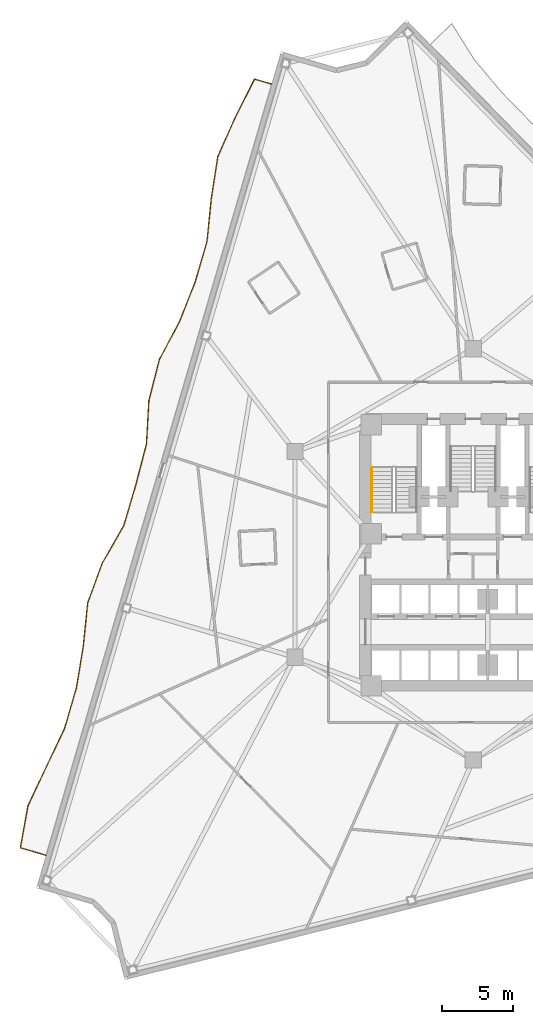
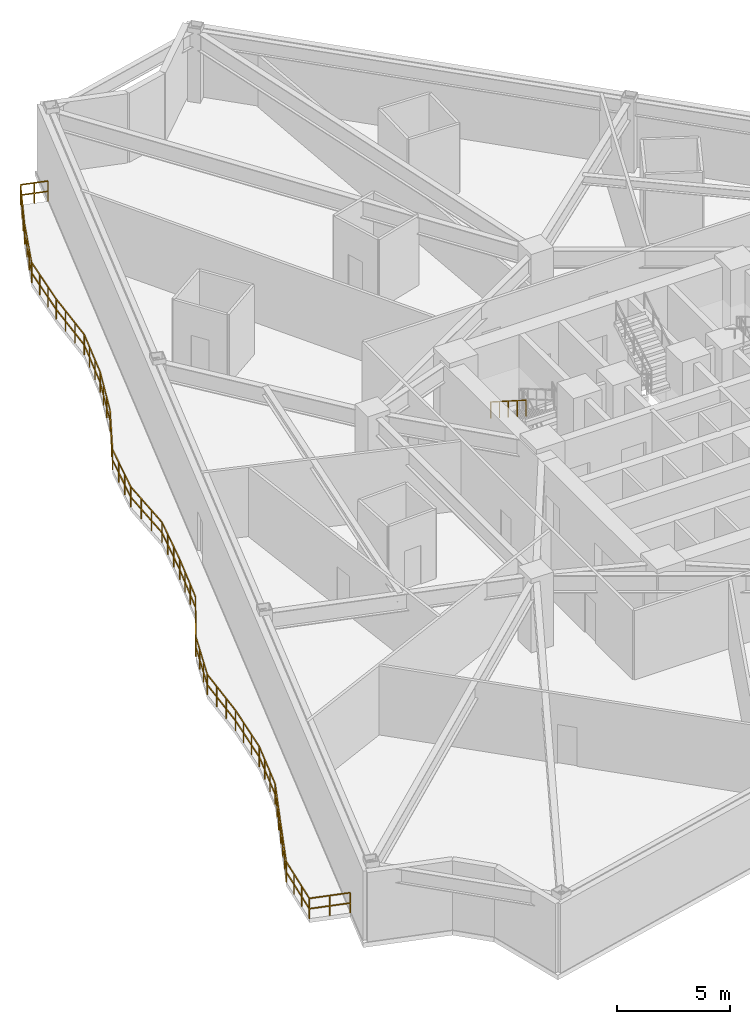
# One storey, part 7 of 9: 2 railings.
"""IFC4 building model written with IfcOpenShell, lengths in metres."""

from ifc_helpers import new_model, si_unit, direction, frame, origin, origin_2d, place, context, subcontext, project, spatial, rectangle, extrude, material, type_object, element, save


model = new_model("IFC4")

# Units and contexts
model_context = context("Model", 3, precision=1e-05, world=origin(), true_north=direction((0.0, 1.0)))
body_context = subcontext(model_context, "Body", "Model", "MODEL_VIEW")
ifc_project = project(units=[si_unit("LENGTHUNIT", "METRE"), si_unit("AREAUNIT", "SQUARE_METRE"), si_unit("VOLUMEUNIT", "CUBIC_METRE"), si_unit("PLANEANGLEUNIT", "RADIAN"), si_unit("MASSUNIT", "GRAM", prefix="KILO")], contexts=[model_context])

# Site, building, storey
site_placement = place(None, origin())
site = spatial("IfcSite", under=ifc_project, at=site_placement, CompositionType="ELEMENT")
building_placement = place(site_placement, origin())
building = spatial("IfcBuilding", under=site, at=building_placement, Name="Apsidion Concourse Tower", CompositionType="ELEMENT")
storey_placement = place(building_placement, frame((0.0, 0.0, 103.0)))
storey = spatial("IfcBuildingStorey", under=building, at=storey_placement, Name="L23", CompositionType="ELEMENT", Elevation=103.0)

# Railings
ifc_material = material(Name="Brushed stainless steel 316", Category="steel")
railing_type_1 = type_object("IfcRailingType", Name="RL-BAL-1120", PredefinedType="BALUSTRADE", material=ifc_material)
railing_1_placement = place(storey_placement, frame((-30.13330078125, -21.2216796875, 0.0)))
element("IfcRailing", 1, at=railing_1_placement, inside=storey, type_object=railing_type_1, Name="L23 Face 1 Rippling Balcony Balustrade", PredefinedType="BALUSTRADE", context=body_context, shape_type="SweptSolid", body=[
    extrude(rectangle(XDim=0.048095703125, YDim=0.048095703125, at=origin_2d()), frame((0.0, 0.0, 1.09619140625), z_axis=(-0.95980851826, 0.28065567565, 0.0), x_axis=(-0.28065567565, -0.95980851826, 0.0)), (0.0, 0.0, 1.0), 1.872802734375),
    extrude(rectangle(XDim=0.048095703125, YDim=0.048095703125, at=origin_2d()), frame((0.0, 0.0, 0.5361328125), z_axis=(-0.95980851826, 0.28065567565, 0.0), x_axis=(-0.28065567565, -0.95980851826, 0.0)), (0.0, 0.0, 1.0), 1.872802734375),
    extrude(rectangle(XDim=0.048095703125, YDim=0.048095703125, at=origin_2d()), frame((-1.797607421875, 0.525634765625, 1.09619140625), z_axis=(0.176077879139, 0.98437623929, 0.0), x_axis=(-0.98437623929, 0.176077879139, 0.0)), (0.0, 0.0, 1.0), 3.00048828125),
    extrude(rectangle(XDim=0.048095703125, YDim=0.048095703125, at=origin_2d()), frame((-1.797607421875, 0.525634765625, 0.5361328125), z_axis=(0.176077879139, 0.98437623929, 0.0), x_axis=(-0.98437623929, 0.176077879139, 0.0)), (0.0, 0.0, 1.0), 3.00048828125),
    extrude(rectangle(XDim=0.048095703125, YDim=0.048095703125, at=origin_2d()), frame((-1.269287109375, 3.479248046875, 1.09619140625), z_axis=(0.425606197643, 0.904908484062, 0.0), x_axis=(-0.904908484062, 0.425606197643, 0.0)), (0.0, 0.0, 1.0), 3.01904296875),
    extrude(rectangle(XDim=0.048095703125, YDim=0.048095703125, at=origin_2d()), frame((-1.269287109375, 3.479248046875, 0.5361328125), z_axis=(0.425606197643, 0.904908484062, 0.0), x_axis=(-0.904908484062, 0.425606197643, 0.0)), (0.0, 0.0, 1.0), 3.01904296875),
    extrude(rectangle(XDim=0.048095703125, YDim=0.048095703125, at=origin_2d()), frame((0.015625, 6.211181640625, 1.09619140625), z_axis=(0.429412813702, 0.903108318768, 0.0), x_axis=(-0.903108318768, 0.429412813702, 0.0)), (0.0, 0.0, 1.0), 3.021240234375),
    extrude(rectangle(XDim=0.048095703125, YDim=0.048095703125, at=origin_2d()), frame((0.015625, 6.211181640625, 0.5361328125), z_axis=(0.429412813702, 0.903108318768, 0.0), x_axis=(-0.903108318768, 0.429412813702, 0.0)), (0.0, 0.0, 1.0), 3.021240234375),
    extrude(rectangle(XDim=0.048095703125, YDim=0.048095703125, at=origin_2d()), frame((1.31298828125, 8.939697265625, 1.09619140625), z_axis=(0.280747965083, 0.959781527277, 0.0), x_axis=(-0.959781527277, 0.280747965083, 0.0)), (0.0, 0.0, 1.0), 2.982666015625),
    extrude(rectangle(XDim=0.048095703125, YDim=0.048095703125, at=origin_2d()), frame((1.31298828125, 8.939697265625, 0.5361328125), z_axis=(0.280747965083, 0.959781527277, 0.0), x_axis=(-0.959781527277, 0.280747965083, 0.0)), (0.0, 0.0, 1.0), 2.982666015625),
    extrude(rectangle(XDim=0.048095703125, YDim=0.048095703125, at=origin_2d()), frame((2.150390625, 11.802490234375, 1.09619140625), z_axis=(0.163476609065, 0.98654721037, 0.0), x_axis=(-0.98654721037, 0.163476609065, 0.0)), (0.0, 0.0, 1.0), 3.0048828125),
    extrude(rectangle(XDim=0.048095703125, YDim=0.048095703125, at=origin_2d()), frame((2.150390625, 11.802490234375, 0.5361328125), z_axis=(0.163476609065, 0.98654721037, 0.0), x_axis=(-0.98654721037, 0.163476609065, 0.0)), (0.0, 0.0, 1.0), 3.0048828125),
    extrude(rectangle(XDim=0.048095703125, YDim=0.048095703125, at=origin_2d()), frame((2.6416015625, 14.766845703125, 1.09619140625), z_axis=(0.09910547957, 0.995076933669, 0.0), x_axis=(-0.995076933669, 0.09910547957, 0.0)), (0.0, 0.0, 1.0), 3.034912109375),
    extrude(rectangle(XDim=0.048095703125, YDim=0.048095703125, at=origin_2d()), frame((2.6416015625, 14.766845703125, 0.5361328125), z_axis=(0.09910547957, 0.995076933669, 0.0), x_axis=(-0.995076933669, 0.09910547957, 0.0)), (0.0, 0.0, 1.0), 3.034912109375),
    extrude(rectangle(XDim=0.048095703125, YDim=0.048095703125, at=origin_2d()), frame((2.9423828125, 17.786865234375, 1.09619140625), z_axis=(0.34397148674, 0.938980093671, 0.0), x_axis=(-0.938980093671, 0.34397148674, 0.0)), (0.0, 0.0, 1.0), 2.989501953125),
    extrude(rectangle(XDim=0.048095703125, YDim=0.048095703125, at=origin_2d()), frame((2.9423828125, 17.786865234375, 0.5361328125), z_axis=(0.34397148674, 0.938980093671, 0.0), x_axis=(-0.938980093671, 0.34397148674, 0.0)), (0.0, 0.0, 1.0), 2.989501953125),
    extrude(rectangle(XDim=0.048095703125, YDim=0.048095703125, at=origin_2d()), frame((3.970703125, 20.593994140625, 1.09619140625), z_axis=(0.496378940794, 0.868105953865, 0.0), x_axis=(-0.868105953865, 0.496378940794, 0.0)), (0.0, 0.0, 1.0), 3.067138671875),
    extrude(rectangle(XDim=0.048095703125, YDim=0.048095703125, at=origin_2d()), frame((3.970703125, 20.593994140625, 0.5361328125), z_axis=(0.496378940794, 0.868105953865, 0.0), x_axis=(-0.868105953865, 0.496378940794, 0.0)), (0.0, 0.0, 1.0), 3.067138671875),
    extrude(rectangle(XDim=0.048095703125, YDim=0.048095703125, at=origin_2d()), frame((5.4931640625, 23.256591796875, 1.09619140625), z_axis=(0.283185323323, 0.959065207718, 0.0), x_axis=(-0.959065207718, 0.283185323323, 0.0)), (0.0, 0.0, 1.0), 2.98291015625),
    extrude(rectangle(XDim=0.048095703125, YDim=0.048095703125, at=origin_2d()), frame((5.4931640625, 23.256591796875, 0.5361328125), z_axis=(0.283185323323, 0.959065207718, 0.0), x_axis=(-0.959065207718, 0.283185323323, 0.0)), (0.0, 0.0, 1.0), 2.98291015625),
    extrude(rectangle(XDim=0.048095703125, YDim=0.048095703125, at=origin_2d()), frame((6.337890625, 26.117431640625, 1.09619140625), z_axis=(0.252398583483, 0.967623353922, 0.0), x_axis=(-0.967623353922, 0.252398583483, 0.0)), (0.0, 0.0, 1.0), 2.984130859375),
    extrude(rectangle(XDim=0.048095703125, YDim=0.048095703125, at=origin_2d()), frame((6.337890625, 26.117431640625, 0.5361328125), z_axis=(0.252398583483, 0.967623353922, 0.0), x_axis=(-0.967623353922, 0.252398583483, 0.0)), (0.0, 0.0, 1.0), 2.984130859375),
    extrude(rectangle(XDim=0.048095703125, YDim=0.048095703125, at=origin_2d()), frame((7.091064453125, 29.0048828125, 1.09619140625), z_axis=(0.055474434033, 0.998460107951, 0.0), x_axis=(-0.998460107951, 0.055474434033, 0.0)), (0.0, 0.0, 1.0), 3.06298828125),
    extrude(rectangle(XDim=0.048095703125, YDim=0.048095703125, at=origin_2d()), frame((7.091064453125, 29.0048828125, 0.5361328125), z_axis=(0.055474434033, 0.998460107951, 0.0), x_axis=(-0.998460107951, 0.055474434033, 0.0)), (0.0, 0.0, 1.0), 3.06298828125),
    extrude(rectangle(XDim=0.048095703125, YDim=0.048095703125, at=origin_2d()), frame((7.260986328125, 32.063232421875, 1.09619140625), z_axis=(0.246940453349, 0.96903065612, 0.0), x_axis=(-0.96903065612, 0.246940453349, 0.0)), (0.0, 0.0, 1.0), 2.98486328125),
    extrude(rectangle(XDim=0.048095703125, YDim=0.048095703125, at=origin_2d()), frame((7.260986328125, 32.063232421875, 0.5361328125), z_axis=(0.246940453349, 0.96903065612, 0.0), x_axis=(-0.96903065612, 0.246940453349, 0.0)), (0.0, 0.0, 1.0), 2.98486328125),
    extrude(rectangle(XDim=0.048095703125, YDim=0.048095703125, at=origin_2d()), frame((7.998046875, 34.95556640625, 1.09619140625), z_axis=(0.468631551795, 0.883393722336, 0.0), x_axis=(-0.883393722336, 0.468631551795, 0.0)), (0.0, 0.0, 1.0), 3.045654296875),
    extrude(rectangle(XDim=0.048095703125, YDim=0.048095703125, at=origin_2d()), frame((7.998046875, 34.95556640625, 0.5361328125), z_axis=(0.468631551795, 0.883393722336, 0.0), x_axis=(-0.883393722336, 0.468631551795, 0.0)), (0.0, 0.0, 1.0), 3.045654296875),
    extrude(rectangle(XDim=0.048095703125, YDim=0.048095703125, at=origin_2d()), frame((9.42529296875, 37.64599609375, 1.09619140625), z_axis=(0.367326113557, 0.930092213869, 0.0), x_axis=(-0.930092213869, 0.367326113557, 0.0)), (0.0, 0.0, 1.0), 2.99560546875),
    extrude(rectangle(XDim=0.048095703125, YDim=0.048095703125, at=origin_2d()), frame((9.42529296875, 37.64599609375, 0.5361328125), z_axis=(0.367326113557, 0.930092213869, 0.0), x_axis=(-0.930092213869, 0.367326113557, 0.0)), (0.0, 0.0, 1.0), 2.99560546875),
    extrude(rectangle(XDim=0.048095703125, YDim=0.048095703125, at=origin_2d()), frame((10.525634765625, 40.43212890625, 1.09619140625), z_axis=(0.280725911516, 0.959787977943, 0.0), x_axis=(-0.959787977943, 0.280725911516, 0.0)), (0.0, 0.0, 1.0), 2.98291015625),
    extrude(rectangle(XDim=0.048095703125, YDim=0.048095703125, at=origin_2d()), frame((10.525634765625, 40.43212890625, 0.5361328125), z_axis=(0.280725911516, 0.959787977943, 0.0), x_axis=(-0.959787977943, 0.280725911516, 0.0)), (0.0, 0.0, 1.0), 2.98291015625),
    extrude(rectangle(XDim=0.048095703125, YDim=0.048095703125, at=origin_2d()), frame((11.363037109375, 43.295166015625, 1.09619140625), z_axis=(0.098619634442, 0.995125202024, 0.0), x_axis=(-0.995125202024, 0.098619634442, 0.0)), (0.0, 0.0, 1.0), 3.03515625),
    extrude(rectangle(XDim=0.048095703125, YDim=0.048095703125, at=origin_2d()), frame((11.363037109375, 43.295166015625, 0.5361328125), z_axis=(0.098619634442, 0.995125202024, 0.0), x_axis=(-0.995125202024, 0.098619634442, 0.0)), (0.0, 0.0, 1.0), 3.03515625),
    extrude(rectangle(XDim=0.048095703125, YDim=0.048095703125, at=origin_2d()), frame((11.662353515625, 46.3154296875, 1.09619140625), z_axis=(0.154282800402, 0.988026729142, 0.0), x_axis=(-0.988026729142, 0.154282800402, 0.0)), (0.0, 0.0, 1.0), 3.00830078125),
    extrude(rectangle(XDim=0.048095703125, YDim=0.048095703125, at=origin_2d()), frame((11.662353515625, 46.3154296875, 0.5361328125), z_axis=(0.154282800402, 0.988026729142, 0.0), x_axis=(-0.988026729142, 0.154282800402, 0.0)), (0.0, 0.0, 1.0), 3.00830078125),
    extrude(rectangle(XDim=0.048095703125, YDim=0.048095703125, at=origin_2d()), frame((12.12646484375, 49.28759765625, 1.09619140625), z_axis=(0.407364631192, 0.913265600608, 0.0), x_axis=(-0.913265600608, 0.407364631192, 0.0)), (0.0, 0.0, 1.0), 3.01025390625),
    extrude(rectangle(XDim=0.048095703125, YDim=0.048095703125, at=origin_2d()), frame((12.12646484375, 49.28759765625, 0.5361328125), z_axis=(0.407364631192, 0.913265600608, 0.0), x_axis=(-0.913265600608, 0.407364631192, 0.0)), (0.0, 0.0, 1.0), 3.01025390625),
    extrude(rectangle(XDim=0.048095703125, YDim=0.048095703125, at=origin_2d()), frame((13.352783203125, 52.036865234375, 1.09619140625), z_axis=(0.448630099868, 0.89371753563, 0.0), x_axis=(-0.89371753563, 0.448630099868, 0.0)), (0.0, 0.0, 1.0), 3.0322265625),
    extrude(rectangle(XDim=0.048095703125, YDim=0.048095703125, at=origin_2d()), frame((13.352783203125, 52.036865234375, 0.5361328125), z_axis=(0.448630099868, 0.89371753563, 0.0), x_axis=(-0.89371753563, 0.448630099868, 0.0)), (0.0, 0.0, 1.0), 3.0322265625),
    extrude(rectangle(XDim=0.048095703125, YDim=0.048095703125, at=origin_2d()), frame((14.713134765625, 54.746826171875, 1.09619140625), z_axis=(0.959802880035, -0.280674956982, 0.0), x_axis=(0.280674956982, 0.959802880035, 0.0)), (0.0, 0.0, 1.0), 1.25),
    extrude(rectangle(XDim=0.048095703125, YDim=0.048095703125, at=origin_2d()), frame((14.713134765625, 54.746826171875, 0.5361328125), z_axis=(0.959802880035, -0.280674956982, 0.0), x_axis=(0.280674956982, 0.959802880035, 0.0)), (0.0, 0.0, 1.0), 1.25),
    extrude(rectangle(XDim=0.0419921875, YDim=0.0419921875, at=origin_2d()), origin(), (0.0, 0.0, 1.0), 1.072021484375),
    extrude(rectangle(XDim=0.0419921875, YDim=0.0419921875, at=origin_2d()), frame((-0.89892578125, 0.2626953125, 0.0)), (0.0, 0.0, 1.0), 1.072021484375),
    extrude(rectangle(XDim=0.0419921875, YDim=0.0419921875, at=origin_2d()), frame((-1.797607421875, 0.525634765625, 0.0)), (0.0, 0.0, 1.0), 1.072021484375),
    extrude(rectangle(XDim=0.0419921875, YDim=0.0419921875, at=origin_2d()), frame((-1.62158203125, 1.51025390625, 0.0)), (0.0, 0.0, 1.0), 1.072021484375),
    extrude(rectangle(XDim=0.0419921875, YDim=0.0419921875, at=origin_2d()), frame((-1.4453125, 2.49462890625, 0.0)), (0.0, 0.0, 1.0), 1.072021484375),
    extrude(rectangle(XDim=0.0419921875, YDim=0.0419921875, at=origin_2d()), frame((-1.269287109375, 3.479248046875, 0.0)), (0.0, 0.0, 1.0), 1.072021484375),
    extrude(rectangle(XDim=0.0419921875, YDim=0.0419921875, at=origin_2d()), frame((-0.841064453125, 4.389892578125, 0.0)), (0.0, 0.0, 1.0), 1.072021484375),
    extrude(rectangle(XDim=0.0419921875, YDim=0.0419921875, at=origin_2d()), frame((-0.41259765625, 5.300537109375, 0.0)), (0.0, 0.0, 1.0), 1.072021484375),
    extrude(rectangle(XDim=0.0419921875, YDim=0.0419921875, at=origin_2d()), frame((0.015625, 6.211181640625, 0.0)), (0.0, 0.0, 1.0), 1.072021484375),
    extrude(rectangle(XDim=0.0419921875, YDim=0.0419921875, at=origin_2d()), frame((0.447998046875, 7.12060546875, 0.0)), (0.0, 0.0, 1.0), 1.072021484375),
    extrude(rectangle(XDim=0.0419921875, YDim=0.0419921875, at=origin_2d()), frame((0.880615234375, 8.0302734375, 0.0)), (0.0, 0.0, 1.0), 1.072021484375),
    extrude(rectangle(XDim=0.0419921875, YDim=0.0419921875, at=origin_2d()), frame((1.31298828125, 8.939697265625, 0.0)), (0.0, 0.0, 1.0), 1.072021484375),
    extrude(rectangle(XDim=0.0419921875, YDim=0.0419921875, at=origin_2d()), frame((1.592041015625, 9.89404296875, 0.0)), (0.0, 0.0, 1.0), 1.072021484375),
    extrude(rectangle(XDim=0.0419921875, YDim=0.0419921875, at=origin_2d()), frame((1.871337890625, 10.84814453125, 0.0)), (0.0, 0.0, 1.0), 1.072021484375),
    extrude(rectangle(XDim=0.0419921875, YDim=0.0419921875, at=origin_2d()), frame((2.150390625, 11.802490234375, 0.0)), (0.0, 0.0, 1.0), 1.072021484375),
    extrude(rectangle(XDim=0.0419921875, YDim=0.0419921875, at=origin_2d()), frame((2.314208984375, 12.79052734375, 0.0)), (0.0, 0.0, 1.0), 1.072021484375),
    extrude(rectangle(XDim=0.0419921875, YDim=0.0419921875, at=origin_2d()), frame((2.477783203125, 13.77880859375, 0.0)), (0.0, 0.0, 1.0), 1.072021484375),
    extrude(rectangle(XDim=0.0419921875, YDim=0.0419921875, at=origin_2d()), frame((2.6416015625, 14.766845703125, 0.0)), (0.0, 0.0, 1.0), 1.072021484375),
    extrude(rectangle(XDim=0.0419921875, YDim=0.0419921875, at=origin_2d()), frame((2.741943359375, 15.7734375, 0.0)), (0.0, 0.0, 1.0), 1.072021484375),
    extrude(rectangle(XDim=0.0419921875, YDim=0.0419921875, at=origin_2d()), frame((2.842041015625, 16.7802734375, 0.0)), (0.0, 0.0, 1.0), 1.072021484375),
    extrude(rectangle(XDim=0.0419921875, YDim=0.0419921875, at=origin_2d()), frame((2.9423828125, 17.786865234375, 0.0)), (0.0, 0.0, 1.0), 1.072021484375),
    extrude(rectangle(XDim=0.0419921875, YDim=0.0419921875, at=origin_2d()), frame((3.28515625, 18.72265625, 0.0)), (0.0, 0.0, 1.0), 1.072021484375),
    extrude(rectangle(XDim=0.0419921875, YDim=0.0419921875, at=origin_2d()), frame((3.6279296875, 19.658203125, 0.0)), (0.0, 0.0, 1.0), 1.072021484375),
    extrude(rectangle(XDim=0.0419921875, YDim=0.0419921875, at=origin_2d()), frame((3.970703125, 20.593994140625, 0.0)), (0.0, 0.0, 1.0), 1.072021484375),
    extrude(rectangle(XDim=0.0419921875, YDim=0.0419921875, at=origin_2d()), frame((4.478271484375, 21.4814453125, 0.0)), (0.0, 0.0, 1.0), 1.072021484375),
    extrude(rectangle(XDim=0.0419921875, YDim=0.0419921875, at=origin_2d()), frame((4.985595703125, 22.369140625, 0.0)), (0.0, 0.0, 1.0), 1.072021484375),
    extrude(rectangle(XDim=0.0419921875, YDim=0.0419921875, at=origin_2d()), frame((5.4931640625, 23.256591796875, 0.0)), (0.0, 0.0, 1.0), 1.072021484375),
    extrude(rectangle(XDim=0.0419921875, YDim=0.0419921875, at=origin_2d()), frame((5.774658203125, 24.210205078125, 0.0)), (0.0, 0.0, 1.0), 1.072021484375),
    extrude(rectangle(XDim=0.0419921875, YDim=0.0419921875, at=origin_2d()), frame((6.056396484375, 25.163818359375, 0.0)), (0.0, 0.0, 1.0), 1.072021484375),
    extrude(rectangle(XDim=0.0419921875, YDim=0.0419921875, at=origin_2d()), frame((6.337890625, 26.117431640625, 0.0)), (0.0, 0.0, 1.0), 1.072021484375),
    extrude(rectangle(XDim=0.0419921875, YDim=0.0419921875, at=origin_2d()), frame((6.5888671875, 27.079833984375, 0.0)), (0.0, 0.0, 1.0), 1.072021484375),
    extrude(rectangle(XDim=0.0419921875, YDim=0.0419921875, at=origin_2d()), frame((6.840087890625, 28.04248046875, 0.0)), (0.0, 0.0, 1.0), 1.072021484375),
    extrude(rectangle(XDim=0.0419921875, YDim=0.0419921875, at=origin_2d()), frame((7.091064453125, 29.0048828125, 0.0)), (0.0, 0.0, 1.0), 1.072021484375),
    extrude(rectangle(XDim=0.0419921875, YDim=0.0419921875, at=origin_2d()), frame((7.147705078125, 30.0244140625, 0.0)), (0.0, 0.0, 1.0), 1.072021484375),
    extrude(rectangle(XDim=0.0419921875, YDim=0.0419921875, at=origin_2d()), frame((7.204345703125, 31.043701171875, 0.0)), (0.0, 0.0, 1.0), 1.072021484375),
    extrude(rectangle(XDim=0.0419921875, YDim=0.0419921875, at=origin_2d()), frame((7.260986328125, 32.063232421875, 0.0)), (0.0, 0.0, 1.0), 1.072021484375),
    extrude(rectangle(XDim=0.0419921875, YDim=0.0419921875, at=origin_2d()), frame((7.506591796875, 33.02734375, 0.0)), (0.0, 0.0, 1.0), 1.072021484375),
    extrude(rectangle(XDim=0.0419921875, YDim=0.0419921875, at=origin_2d()), frame((7.75244140625, 33.991455078125, 0.0)), (0.0, 0.0, 1.0), 1.072021484375),
    extrude(rectangle(XDim=0.0419921875, YDim=0.0419921875, at=origin_2d()), frame((7.998046875, 34.95556640625, 0.0)), (0.0, 0.0, 1.0), 1.072021484375),
    extrude(rectangle(XDim=0.0419921875, YDim=0.0419921875, at=origin_2d()), frame((8.473876953125, 35.852294921875, 0.0)), (0.0, 0.0, 1.0), 1.072021484375),
    extrude(rectangle(XDim=0.0419921875, YDim=0.0419921875, at=origin_2d()), frame((8.949462890625, 36.749267578125, 0.0)), (0.0, 0.0, 1.0), 1.072021484375),
    extrude(rectangle(XDim=0.0419921875, YDim=0.0419921875, at=origin_2d()), frame((9.42529296875, 37.64599609375, 0.0)), (0.0, 0.0, 1.0), 1.072021484375),
    extrude(rectangle(XDim=0.0419921875, YDim=0.0419921875, at=origin_2d()), frame((9.7919921875, 38.57470703125, 0.0)), (0.0, 0.0, 1.0), 1.072021484375),
    extrude(rectangle(XDim=0.0419921875, YDim=0.0419921875, at=origin_2d()), frame((10.158935546875, 39.50341796875, 0.0)), (0.0, 0.0, 1.0), 1.072021484375),
    extrude(rectangle(XDim=0.0419921875, YDim=0.0419921875, at=origin_2d()), frame((10.525634765625, 40.43212890625, 0.0)), (0.0, 0.0, 1.0), 1.072021484375),
    extrude(rectangle(XDim=0.0419921875, YDim=0.0419921875, at=origin_2d()), frame((10.8046875, 41.386474609375, 0.0)), (0.0, 0.0, 1.0), 1.072021484375),
    extrude(rectangle(XDim=0.0419921875, YDim=0.0419921875, at=origin_2d()), frame((11.083984375, 42.3408203125, 0.0)), (0.0, 0.0, 1.0), 1.072021484375),
    extrude(rectangle(XDim=0.0419921875, YDim=0.0419921875, at=origin_2d()), frame((11.363037109375, 43.295166015625, 0.0)), (0.0, 0.0, 1.0), 1.072021484375),
    extrude(rectangle(XDim=0.0419921875, YDim=0.0419921875, at=origin_2d()), frame((11.462890625, 44.302001953125, 0.0)), (0.0, 0.0, 1.0), 1.072021484375),
    extrude(rectangle(XDim=0.0419921875, YDim=0.0419921875, at=origin_2d()), frame((11.5625, 45.30859375, 0.0)), (0.0, 0.0, 1.0), 1.072021484375),
    extrude(rectangle(XDim=0.0419921875, YDim=0.0419921875, at=origin_2d()), frame((11.662353515625, 46.3154296875, 0.0)), (0.0, 0.0, 1.0), 1.072021484375),
    extrude(rectangle(XDim=0.0419921875, YDim=0.0419921875, at=origin_2d()), frame((11.817138671875, 47.30615234375, 0.0)), (0.0, 0.0, 1.0), 1.072021484375),
    extrude(rectangle(XDim=0.0419921875, YDim=0.0419921875, at=origin_2d()), frame((11.9716796875, 48.296875, 0.0)), (0.0, 0.0, 1.0), 1.072021484375),
    extrude(rectangle(XDim=0.0419921875, YDim=0.0419921875, at=origin_2d()), frame((12.12646484375, 49.28759765625, 0.0)), (0.0, 0.0, 1.0), 1.072021484375),
    extrude(rectangle(XDim=0.0419921875, YDim=0.0419921875, at=origin_2d()), frame((12.53515625, 50.2041015625, 0.0)), (0.0, 0.0, 1.0), 1.072021484375),
    extrude(rectangle(XDim=0.0419921875, YDim=0.0419921875, at=origin_2d()), frame((12.944091796875, 51.120361328125, 0.0)), (0.0, 0.0, 1.0), 1.072021484375),
    extrude(rectangle(XDim=0.0419921875, YDim=0.0419921875, at=origin_2d()), frame((13.352783203125, 52.036865234375, 0.0)), (0.0, 0.0, 1.0), 1.072021484375),
    extrude(rectangle(XDim=0.0419921875, YDim=0.0419921875, at=origin_2d()), frame((13.80615234375, 52.940185546875, 0.0)), (0.0, 0.0, 1.0), 1.072021484375),
    extrude(rectangle(XDim=0.0419921875, YDim=0.0419921875, at=origin_2d()), frame((14.259765625, 53.843505859375, 0.0)), (0.0, 0.0, 1.0), 1.072021484375),
    extrude(rectangle(XDim=0.0419921875, YDim=0.0419921875, at=origin_2d()), frame((14.713134765625, 54.746826171875, 0.0)), (0.0, 0.0, 1.0), 1.072021484375),
    extrude(rectangle(XDim=0.0419921875, YDim=0.0419921875, at=origin_2d()), frame((15.31298828125, 54.5712890625, 0.0)), (0.0, 0.0, 1.0), 1.072021484375),
    extrude(rectangle(XDim=0.0419921875, YDim=0.0419921875, at=origin_2d()), frame((15.912841796875, 54.39599609375, 0.0)), (0.0, 0.0, 1.0), 1.072021484375),
])
railing_type_2 = type_object("IfcRailingType", Name="RL-HAND-900", PredefinedType="HANDRAIL", material=ifc_material)
railing_2_placement = place(storey_placement, frame((-7.14990234375, 6.135009765625, 2.166748046875)))
element("IfcRailing", 2, at=railing_2_placement, inside=storey, type_object=railing_type_2, Name="L23 ST1 stair handrail 2", PredefinedType="HANDRAIL", context=body_context, shape_type="SweptSolid", body=[
    extrude(rectangle(XDim=0.048095703125, YDim=0.048095703125, at=origin_2d()), frame((0.0, 0.0, 0.8759765625), z_axis=(0.0, -0.843052688722, 0.537830980921), x_axis=(1.0, 0.0, 0.0)), (0.0, 0.0, 1.0), 3.71875),
    extrude(rectangle(XDim=0.0419921875, YDim=0.0419921875, at=origin_2d()), origin(), (0.0, 0.0, 1.0), 0.851806640625),
    extrude(rectangle(XDim=0.0419921875, YDim=0.0419921875, at=origin_2d()), frame((0.0, -0.78369140625, 0.5)), (0.0, 0.0, 1.0), 0.851806640625),
    extrude(rectangle(XDim=0.0419921875, YDim=0.0419921875, at=origin_2d()), frame((0.0, -1.5673828125, 1.0)), (0.0, 0.0, 1.0), 0.851806640625),
    extrude(rectangle(XDim=0.0419921875, YDim=0.0419921875, at=origin_2d()), frame((0.0, -2.351318359375, 1.5)), (0.0, 0.0, 1.0), 0.851806640625),
    extrude(rectangle(XDim=0.0419921875, YDim=0.0419921875, at=origin_2d()), frame((0.0, -3.135009765625, 2.0)), (0.0, 0.0, 1.0), 0.851806640625),
])

save(model, "model.ifc")
